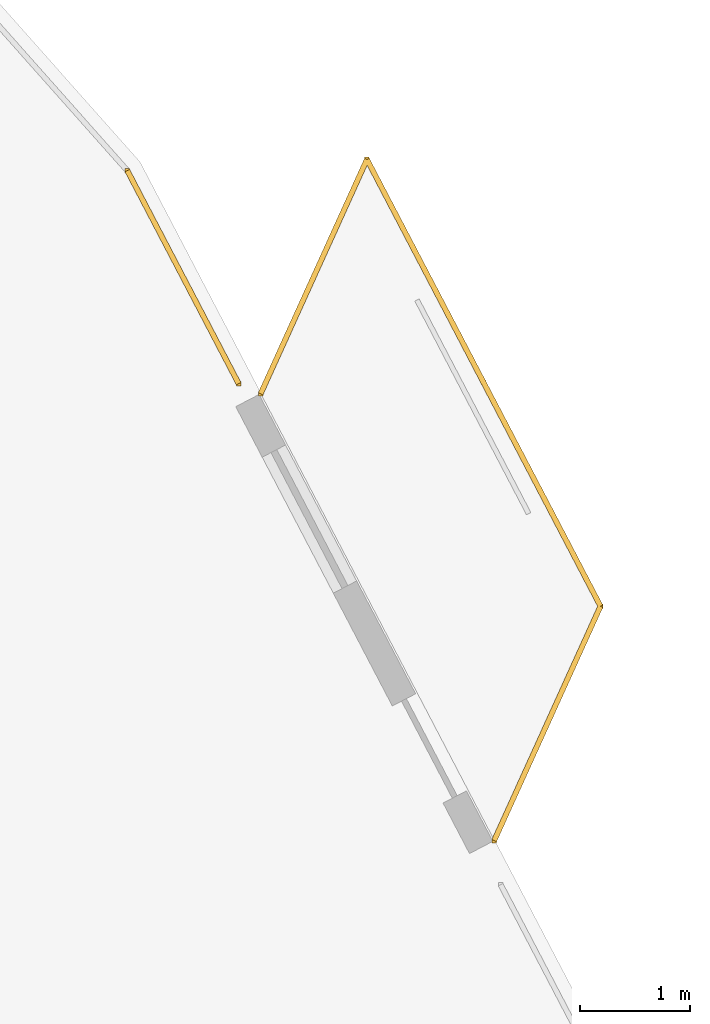
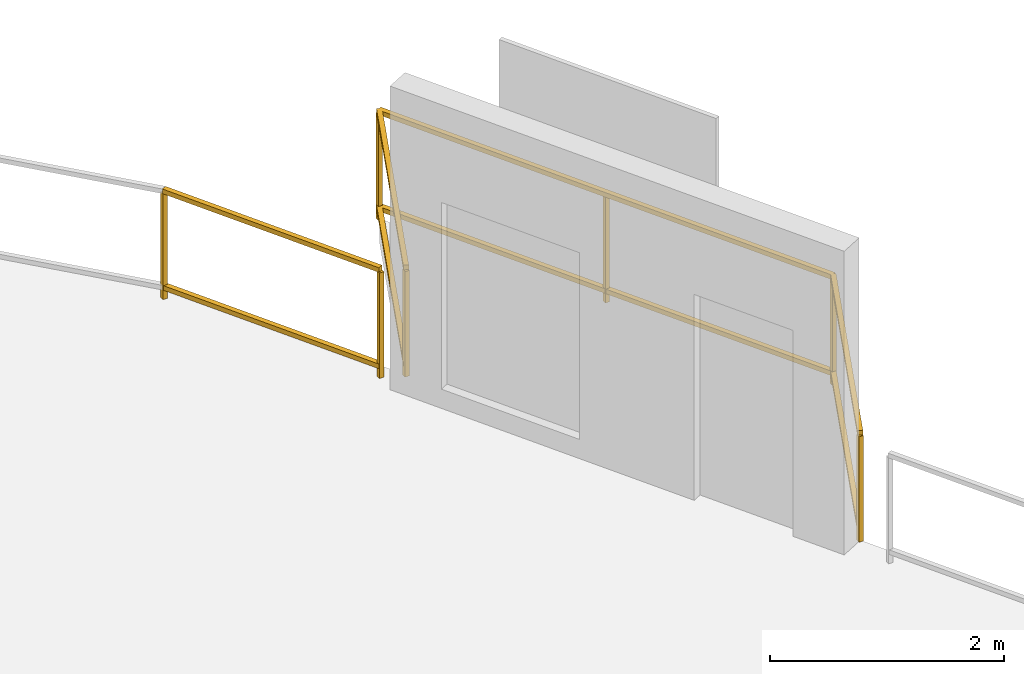
# One storey, part 30 of 30: 2 railings.
"""IFC4 building model written with IfcOpenShell, lengths in metres."""

from ifc_helpers import new_model, si_unit, direction, frame, origin, origin_2d, place, context, subcontext, project, spatial, rectangle, extrude, material, type_object, element, save


model = new_model("IFC4")

# Units and contexts
model_context = context("Model", 3, precision=1e-05, world=origin(), true_north=direction((0.0, 1.0)))
body_context = subcontext(model_context, "Body", "Model", "MODEL_VIEW")
ifc_project = project(units=[si_unit("LENGTHUNIT", "METRE"), si_unit("AREAUNIT", "SQUARE_METRE"), si_unit("VOLUMEUNIT", "CUBIC_METRE"), si_unit("PLANEANGLEUNIT", "RADIAN"), si_unit("MASSUNIT", "GRAM", prefix="KILO")], contexts=[model_context])

# Site, building, storey
site_placement = place(None, origin())
site = spatial("IfcSite", under=ifc_project, at=site_placement, CompositionType="ELEMENT")
building_placement = place(site_placement, origin())
building = spatial("IfcBuilding", under=site, at=building_placement, Name="Qarnah Convention Tower", CompositionType="ELEMENT")
storey_placement = place(building_placement, frame((0.0, 0.0, 58.050048828125)))
storey = spatial("IfcBuildingStorey", under=building, at=storey_placement, Name="L14", CompositionType="ELEMENT", Elevation=58.050048828125)

# Railings
ifc_material = material(Name="Black anodised aluminium", Category="aluminium")
railing_type = type_object("IfcRailingType", Name="RL-EXT-GUARD-1150", PredefinedType="GUARDRAIL", material=ifc_material)
railing_1_placement = place(storey_placement, frame((58.468017578125, 41.799072265625, 0.0)))
element("IfcRailing", 1, at=railing_1_placement, inside=storey, type_object=railing_type, Name="L14 slab-edge perimeter safety guard 01", PredefinedType="GUARDRAIL", context=body_context, shape_type="SweptSolid", body=[
    extrude(rectangle(XDim=0.048095703125, YDim=0.048095703125, at=origin_2d()), frame((0.0, 0.0, 1.1259765625), z_axis=(0.463125067726, -0.886292937828, 0.0), x_axis=(0.886292937828, 0.463125067726, 0.0)), (0.0, 0.0, 1.0), 2.193603515625),
    extrude(rectangle(XDim=0.048095703125, YDim=0.048095703125, at=origin_2d()), frame((0.0, 0.0, 0.1201171875), z_axis=(0.463125067726, -0.886292937828, 0.0), x_axis=(0.886292937828, 0.463125067726, 0.0)), (0.0, 0.0, 1.0), 2.193603515625),
    extrude(rectangle(XDim=0.0419921875, YDim=0.0419921875, at=origin_2d()), origin(), (0.0, 0.0, 1.0), 1.101806640625),
    extrude(rectangle(XDim=0.0419921875, YDim=0.0419921875, at=origin_2d()), frame((1.015869140625, -1.944091796875, 0.0)), (0.0, 0.0, 1.0), 1.101806640625),
])
railing_2_placement = place(storey_placement, frame((59.68408203125, 39.762939453125, 0.0)))
element("IfcRailing", 2, at=railing_2_placement, inside=storey, type_object=railing_type, Name="L14 balcony safety guard BAL-L14-C1", PredefinedType="GUARDRAIL", context=body_context, shape_type="SweptSolid", body=[
    extrude(rectangle(XDim=0.048095703125, YDim=0.048095703125, at=origin_2d()), frame((0.0, 0.0, 1.1259765625), z_axis=(0.413160369891, 0.910658283195, 0.0), x_axis=(-0.910658283195, 0.413160369891, 0.0)), (0.0, 0.0, 1.0), 2.34765625),
    extrude(rectangle(XDim=0.048095703125, YDim=0.048095703125, at=origin_2d()), frame((0.0, 0.0, 0.1201171875), z_axis=(0.413160369891, 0.910658283195, 0.0), x_axis=(-0.910658283195, 0.413160369891, 0.0)), (0.0, 0.0, 1.0), 2.34765625),
    extrude(rectangle(XDim=0.048095703125, YDim=0.048095703125, at=origin_2d()), frame((0.969970703125, 2.137939453125, 1.1259765625), z_axis=(0.463298741558, -0.886202164334, 0.0), x_axis=(0.886202164334, 0.463298741558, 0.0)), (0.0, 0.0, 1.0), 4.599365234375),
    extrude(rectangle(XDim=0.048095703125, YDim=0.048095703125, at=origin_2d()), frame((0.969970703125, 2.137939453125, 0.1201171875), z_axis=(0.463298741558, -0.886202164334, 0.0), x_axis=(0.886202164334, 0.463298741558, 0.0)), (0.0, 0.0, 1.0), 4.599365234375),
    extrude(rectangle(XDim=0.048095703125, YDim=0.048095703125, at=origin_2d()), frame((3.100830078125, -1.93798828125, 1.1259765625), z_axis=(-0.413160369891, -0.910658283195, 0.0), x_axis=(0.910658283195, -0.413160369891, 0.0)), (0.0, 0.0, 1.0), 2.34765625),
    extrude(rectangle(XDim=0.048095703125, YDim=0.048095703125, at=origin_2d()), frame((3.100830078125, -1.93798828125, 0.1201171875), z_axis=(-0.413160369891, -0.910658283195, 0.0), x_axis=(0.910658283195, -0.413160369891, 0.0)), (0.0, 0.0, 1.0), 2.34765625),
    extrude(rectangle(XDim=0.0419921875, YDim=0.0419921875, at=origin_2d()), origin(), (0.0, 0.0, 1.0), 1.101806640625),
    extrude(rectangle(XDim=0.0419921875, YDim=0.0419921875, at=origin_2d()), frame((0.969970703125, 2.137939453125, 0.0)), (0.0, 0.0, 1.0), 1.101806640625),
    extrude(rectangle(XDim=0.0419921875, YDim=0.0419921875, at=origin_2d()), frame((2.035400390625, 0.10009765625, 0.0)), (0.0, 0.0, 1.0), 1.101806640625),
    extrude(rectangle(XDim=0.0419921875, YDim=0.0419921875, at=origin_2d()), frame((3.100830078125, -1.93798828125, 0.0)), (0.0, 0.0, 1.0), 1.101806640625),
    extrude(rectangle(XDim=0.0419921875, YDim=0.0419921875, at=origin_2d()), frame((2.130859375, -4.075927734375, 0.0)), (0.0, 0.0, 1.0), 1.101806640625),
])

save(model, "model.ifc")
